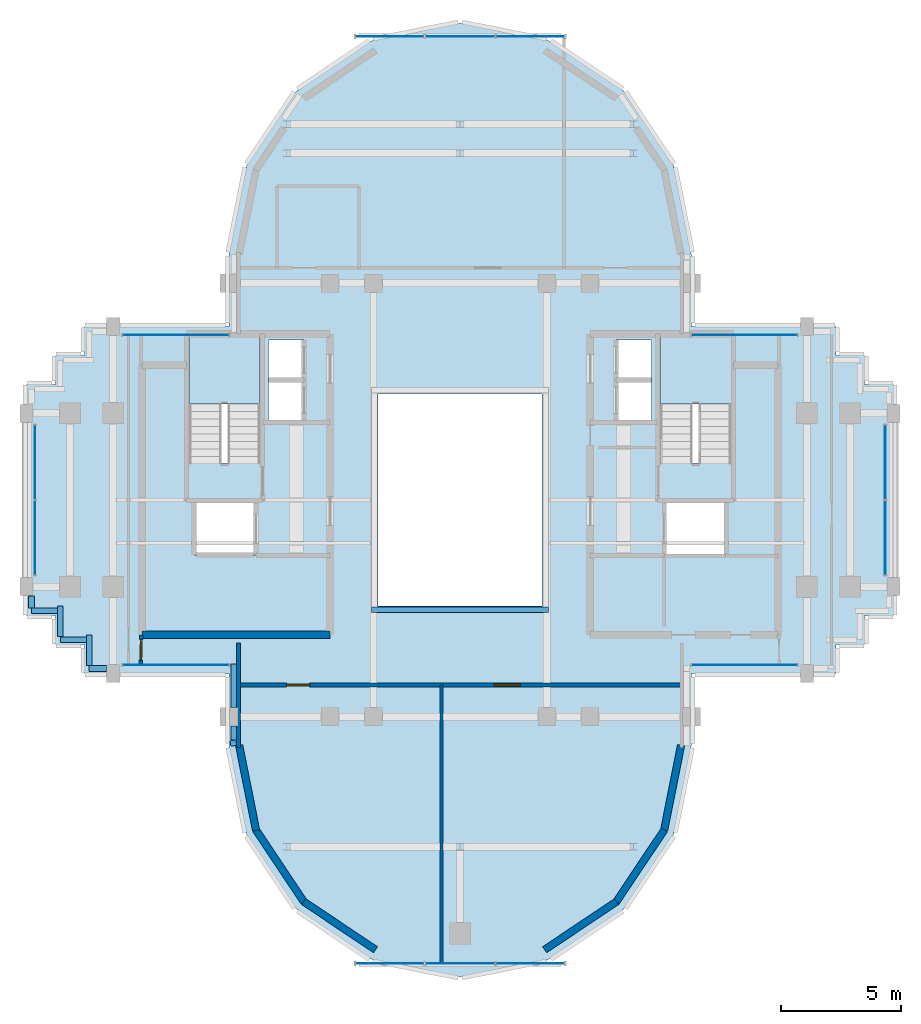
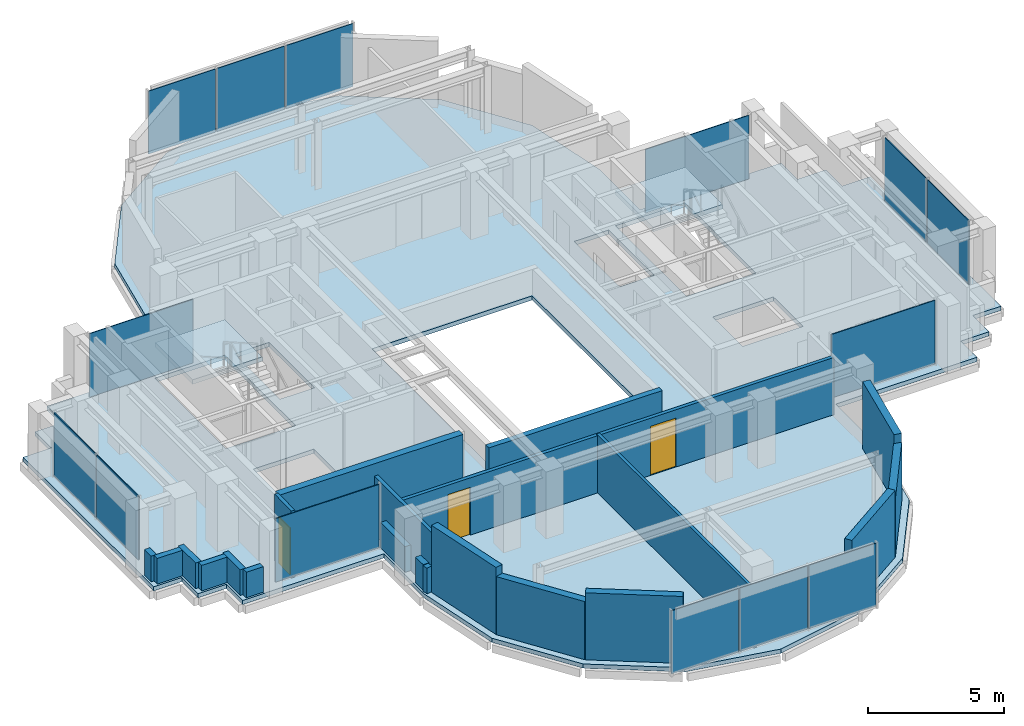
# One storey, part 7 of 12: 21 walls, 14 plates, 3 doors, 3 slabs, 3 openings, 10 elements without a shape of their own.
"""IFC4 building model written with IfcOpenShell, lengths in metres."""

from ifc_helpers import new_model, si_unit, direction, frame, frame_2d, origin, origin_2d, place, context, subcontext, project, spatial, polyline, rectangle, outline, extrude, source, transform, mapped, material, layer, layer_set, type_object, element, fill, aggregate, save


model = new_model("IFC4")

# Units and contexts
model_context = context("Model", 3, precision=1e-05, world=origin(), true_north=direction((0.0, 1.0)))
body_context = subcontext(model_context, "Body", "Model", "MODEL_VIEW")
ifc_project = project(units=[si_unit("LENGTHUNIT", "METRE"), si_unit("AREAUNIT", "SQUARE_METRE"), si_unit("VOLUMEUNIT", "CUBIC_METRE"), si_unit("PLANEANGLEUNIT", "RADIAN"), si_unit("MASSUNIT", "GRAM", prefix="KILO")], contexts=[model_context])

# Site, building, storey
site_placement = place(None, origin())
site = spatial("IfcSite", under=ifc_project, at=site_placement, CompositionType="ELEMENT")
building_placement = place(site_placement, origin())
building = spatial("IfcBuilding", under=site, at=building_placement, Name="Keilestroom Media Tower", CompositionType="ELEMENT")
storey_placement = place(building_placement, frame((0.0, 0.0, 236.39990234375)))
storey = spatial("IfcBuildingStorey", under=building, at=storey_placement, Name="L65", CompositionType="ELEMENT", Elevation=236.39990234375)

# Slab
ifc_material_1 = material(Name="Concrete C50/60", Category="concrete")
ifc_layer_1 = layer(ifc_material_1, 0.18994140625)
ifc_layer_set_1 = layer_set([ifc_layer_1], Name="Concrete C50/60")
slab_type_1 = type_object("IfcSlabType", Name="Composite-Floor-Slab-190", PredefinedType="FLOOR", material=ifc_layer_set_1)
slab_1_placement = place(storey_placement, frame((0.0, 0.0, -0.18994140625)))
element("IfcSlab", 1, at=slab_1_placement, inside=storey, type_object=slab_type_1, Name="L65 Structural Composite Floor Slab", PredefinedType="FLOOR", context=body_context, shape_type="SweptSolid", body=[
    extrude(outline(polyline([(18.0, -4.800048828125), (18.0, 4.800048828125), (16.800048828125, 4.800048828125), (16.800048828125, 6.0), (15.60009765625, 6.0), (15.60009765625, 7.199951171875), (9.60009765625, 7.199951171875), (9.60009765625, 9.60009765625), (9.60009765625, 10.199951171875), (8.869140625, 13.873779296875), (6.7880859375, 16.98828125), (3.673828125, 19.069091796875), (0.0, 19.800048828125), (-3.673828125, 19.069091796875), (-6.7880859375, 16.98828125), (-8.869140625, 13.873779296875), (-9.60009765625, 10.199951171875), (-9.60009765625, 9.60009765625), (-9.60009765625, 7.199951171875), (-15.60009765625, 7.199951171875), (-15.60009765625, 6.0), (-16.800048828125, 6.0), (-16.800048828125, 4.800048828125), (-18.0, 4.800048828125), (-18.0, -4.800048828125), (-16.800048828125, -4.800048828125), (-16.800048828125, -6.0), (-15.60009765625, -6.0), (-15.60009765625, -7.199951171875), (-9.60009765625, -7.199951171875), (-9.60009765625, -9.60009765625), (-9.60009765625, -10.199951171875), (-8.869140625, -13.873779296875), (-6.7880859375, -16.98828125), (-3.673828125, -19.069091796875), (0.0, -19.800048828125), (3.673828125, -19.069091796875), (6.7880859375, -16.98828125), (8.869140625, -13.873779296875), (9.60009765625, -10.199951171875), (9.60009765625, -9.60009765625), (9.60009765625, -7.199951171875), (15.60009765625, -7.199951171875), (15.60009765625, -6.0), (16.800048828125, -6.0), (16.800048828125, -4.800048828125), (18.0, -4.800048828125)]), holes=[polyline([(-8.300048828125, 1.544921875), (-11.260009765625, 1.544921875), (-11.260009765625, 6.760009765625), (-8.300048828125, 6.760009765625), (-8.300048828125, 1.544921875)]), polyline([(-8.47998046875, -2.280029296875), (-11.050048828125, -2.280029296875), (-11.050048828125, -0.10009765625), (-8.47998046875, -0.10009765625), (-8.47998046875, -2.280029296875)]), polyline([(-6.47998046875, 3.300048828125), (-7.949951171875, 3.300048828125), (-7.949951171875, 6.64990234375), (-6.47998046875, 6.64990234375), (-6.47998046875, 3.300048828125)]), polyline([(3.39990234375, -4.39990234375), (-3.39990234375, -4.39990234375), (-3.39990234375, 4.39990234375), (3.39990234375, 4.39990234375), (3.39990234375, -4.39990234375)]), polyline([(7.949951171875, 3.300048828125), (6.47998046875, 3.300048828125), (6.47998046875, 6.64990234375), (7.949951171875, 6.64990234375), (7.949951171875, 3.300048828125)]), polyline([(11.260009765625, 1.544921875), (8.300048828125, 1.544921875), (8.300048828125, 6.760009765625), (11.260009765625, 6.760009765625), (11.260009765625, 1.544921875)]), polyline([(11.050048828125, -2.280029296875), (8.47998046875, -2.280029296875), (8.47998046875, -0.10009765625), (11.050048828125, -0.10009765625), (11.050048828125, -2.280029296875)])]), origin(), (0.0, 0.0, 1.0), 0.18994140625),
])

# Stair, slab
ifc_material_2 = material(Name="Concrete C45/55", Category="concrete")
stair_type = type_object("IfcStairType", Name="Enclosed-Dog-Leg-Stair-ST-CORE", PredefinedType="HALF_TURN_STAIR", material=ifc_material_2)
stair_1_placement = place(storey_placement, origin())
stair_1 = element("IfcStair", 2, at=stair_1_placement, inside=storey, type_object=stair_type, Name="L65 West Core Escape Stair ST-1", PredefinedType="HALF_TURN_STAIR")
ifc_layer_2 = layer(ifc_material_2, 0.199951171875)
ifc_layer_set_2 = layer_set([ifc_layer_2], Name="Concrete C45/55")
slab_type_2 = type_object("IfcSlabType", Name="Stair-Intermediate-And-Top-Landing-Slab-200", PredefinedType="LANDING", material=ifc_layer_set_2)
slab_2_placement = place(storey_placement, frame((0.0, 0.0, 1.400146484375)))
slab_2 = element("IfcSlab", 3, at=slab_2_placement, type_object=slab_type_2, Name="ST-1 landing 1", PredefinedType="LANDING", context=body_context, shape_type="SweptSolid", body=[
    extrude(outline(polyline([(-8.300048828125, 3.99609375), (-8.300048828125, 6.760009765625), (-11.260009765625, 6.760009765625), (-11.260009765625, 3.99609375), (-8.300048828125, 3.99609375)])), origin(), (0.0, 0.0, 1.0), 0.199951171875),
])
aggregate(stair_1, [slab_2])

stair_2_placement = place(storey_placement, origin())
stair_2 = element("IfcStair", 4, at=stair_2_placement, inside=storey, type_object=stair_type, Name="L65 East Core Escape Stair ST-2", PredefinedType="HALF_TURN_STAIR")
slab_3_placement = place(storey_placement, frame((0.0, 0.0, 1.400146484375)))
slab_3 = element("IfcSlab", 5, at=slab_3_placement, type_object=slab_type_2, Name="ST-2 landing 1", PredefinedType="LANDING", context=body_context, shape_type="SweptSolid", body=[
    extrude(outline(polyline([(11.260009765625, 3.99609375), (11.260009765625, 6.760009765625), (8.300048828125, 6.760009765625), (8.300048828125, 3.99609375), (11.260009765625, 3.99609375)])), origin(), (0.0, 0.0, 1.0), 0.199951171875),
])
aggregate(stair_2, [slab_3])

# Curtain wall, plates
ifc_material_3 = material(Name="Anodised Aluminium Alloy", Category="aluminium")
curtain_wall_type_1 = type_object("IfcCurtainWallType", Name="Unitised-Curtain-Wall-CW-6", PredefinedType="NOTDEFINED", material=ifc_material_3)
curtain_wall_1_placement = place(storey_placement, origin())
curtain_wall_1 = element("IfcCurtainWall", 6, at=curtain_wall_1_placement, inside=storey, type_object=curtain_wall_type_1, Name="L65 Curtain Wall CW-6 CW-L65-LN-1", PredefinedType="NOTDEFINED")
ifc_material_4 = material(Name="Curved-Facet Triple Glazed Unit", Category="glass")
ifc_layer_3 = layer(ifc_material_4, 0.033935546875)
ifc_layer_set_3 = layer_set([ifc_layer_3], Name="Curved-Facet Triple Glazed Unit")
plate_type_1 = type_object("IfcPlateType", Name="Insulated-Curtain-Wall-Glazing-Panel-CW-6", PredefinedType="CURTAIN_PANEL", material=ifc_layer_set_3)
shared_shape_1 = source(origin(), body_context, "Body", "SweptSolid", [
    extrude(rectangle(XDim=2.84375, YDim=0.033935546875, at=origin_2d()), origin(), (0.0, 0.0, 1.0), 2.833984375),
])
plate_1_placement = place(storey_placement, frame((-2.9169921875, 19.25, 0.072998046875), z_axis=(0.0, 0.0, 1.0), x_axis=(1.0, 0.0, 0.0)))
plate_1 = element("IfcPlate", 7, at=plate_1_placement, type_object=plate_type_1, Name="CW-6 Unitised Glazing 00", PredefinedType="CURTAIN_PANEL", context=body_context, shape_type="MappedRepresentation", body=[
    mapped(shared_shape_1, transform((0.0, 0.0, 0.0), x_axis=(1.0, 0.0, 0.0), y_axis=(0.0, 1.0, 0.0), z_axis=(0.0, 0.0, 1.0), scale=1.0)),
])
plate_2_placement = place(storey_placement, frame((2.9169921875, 19.25, 0.072998046875), z_axis=(0.0, 0.0, 1.0), x_axis=(1.0, 0.0, 0.0)))
plate_2 = element("IfcPlate", 8, at=plate_2_placement, type_object=plate_type_1, Name="CW-6 Unitised Glazing 02", PredefinedType="CURTAIN_PANEL", context=body_context, shape_type="MappedRepresentation", body=[
    mapped(shared_shape_1, transform((0.0, 0.0, 0.0), x_axis=(1.0, 0.0, 0.0), y_axis=(0.0, 1.0, 0.0), z_axis=(0.0, 0.0, 1.0), scale=1.0)),
])

curtain_wall_2_placement = place(storey_placement, origin())
curtain_wall_2 = element("IfcCurtainWall", 9, at=curtain_wall_2_placement, inside=storey, type_object=curtain_wall_type_1, Name="L65 Curtain Wall CW-6 CW-L65-LS-1", PredefinedType="NOTDEFINED")
plate_3_placement = place(storey_placement, frame((-2.9169921875, -19.25, 0.072998046875), z_axis=(0.0, 0.0, 1.0), x_axis=(1.0, 0.0, 0.0)))
plate_3 = element("IfcPlate", 10, at=plate_3_placement, type_object=plate_type_1, Name="CW-6 Unitised Glazing 00", PredefinedType="CURTAIN_PANEL", context=body_context, shape_type="MappedRepresentation", body=[
    mapped(shared_shape_1, transform((0.0, 0.0, 0.0), x_axis=(1.0, 0.0, 0.0), y_axis=(0.0, 1.0, 0.0), z_axis=(0.0, 0.0, 1.0), scale=1.0)),
])
plate_4_placement = place(storey_placement, frame((2.9169921875, -19.25, 0.072998046875), z_axis=(0.0, 0.0, 1.0), x_axis=(1.0, 0.0, 0.0)))
plate_4 = element("IfcPlate", 11, at=plate_4_placement, type_object=plate_type_1, Name="CW-6 Unitised Glazing 02", PredefinedType="CURTAIN_PANEL", context=body_context, shape_type="MappedRepresentation", body=[
    mapped(shared_shape_1, transform((0.0, 0.0, 0.0), x_axis=(1.0, 0.0, 0.0), y_axis=(0.0, 1.0, 0.0), z_axis=(0.0, 0.0, 1.0), scale=1.0)),
])

# Plate
shared_shape_2 = source(origin(), body_context, "Body", "SweptSolid", [
    extrude(rectangle(XDim=2.876220703125, YDim=0.033935546875, at=origin_2d()), origin(), (0.0, 0.0, 1.0), 2.833984375),
])
plate_5_placement = place(storey_placement, frame((0.0, 19.25, 0.072998046875), z_axis=(0.0, 0.0, 1.0), x_axis=(1.0, 0.0, 0.0)))
plate_5 = element("IfcPlate", 12, at=plate_5_placement, type_object=plate_type_1, Name="CW-6 Unitised Glazing 01", PredefinedType="CURTAIN_PANEL", context=body_context, shape_type="MappedRepresentation", body=[
    mapped(shared_shape_2, transform((0.0, 0.0, 0.0), x_axis=(1.0, 0.0, 0.0), y_axis=(0.0, 1.0, 0.0), z_axis=(0.0, 0.0, 1.0), scale=1.0)),
])

aggregate(curtain_wall_1, [plate_1, plate_5, plate_2])

plate_6_placement = place(storey_placement, frame((0.0, -19.25, 0.072998046875), z_axis=(0.0, 0.0, 1.0), x_axis=(1.0, 0.0, 0.0)))
plate_6 = element("IfcPlate", 13, at=plate_6_placement, type_object=plate_type_1, Name="CW-6 Unitised Glazing 01", PredefinedType="CURTAIN_PANEL", context=body_context, shape_type="MappedRepresentation", body=[
    mapped(shared_shape_2, transform((0.0, 0.0, 0.0), x_axis=(1.0, 0.0, 0.0), y_axis=(0.0, 1.0, 0.0), z_axis=(0.0, 0.0, 1.0), scale=1.0)),
])

aggregate(curtain_wall_2, [plate_3, plate_6, plate_4])

# Curtain wall, plates
curtain_wall_type_2 = type_object("IfcCurtainWallType", Name="Unitised-Curtain-Wall-CW-4", PredefinedType="NOTDEFINED", material=ifc_material_3)
curtain_wall_3_placement = place(storey_placement, origin())
curtain_wall_3 = element("IfcCurtainWall", 14, at=curtain_wall_3_placement, inside=storey, type_object=curtain_wall_type_2, Name="L65 Curtain Wall CW-4 CW-L65-W-1", PredefinedType="NOTDEFINED")
ifc_material_5 = material(Name="Triple Glazed Solar-Control Unit", Category="glass")
ifc_layer_4 = layer(ifc_material_5, 0.035888671875)
ifc_layer_set_4 = layer_set([ifc_layer_4], Name="Triple Glazed Solar-Control Unit")
plate_type_2 = type_object("IfcPlateType", Name="Insulated-Curtain-Wall-Glazing-Panel-CW-4", PredefinedType="CURTAIN_PANEL", material=ifc_layer_set_4)
shared_shape_3 = source(origin(), body_context, "Body", "SweptSolid", [
    extrude(rectangle(XDim=3.0830078125, YDim=0.035888671875, at=origin_2d()), origin(), (0.0, 0.0, 1.0), 2.85400390625),
])
plate_7_placement = place(storey_placement, frame((-17.64990234375, -1.5673828125, 0.06298828125), z_axis=(0.0, 0.0, 1.0), x_axis=(0.0, 1.0, 0.0)))
plate_7 = element("IfcPlate", 15, at=plate_7_placement, type_object=plate_type_2, Name="CW-4 Unitised Glazing 00", PredefinedType="CURTAIN_PANEL", context=body_context, shape_type="MappedRepresentation", body=[
    mapped(shared_shape_3, transform((0.0, 0.0, 0.0), x_axis=(1.0, 0.0, 0.0), y_axis=(0.0, 1.0, 0.0), z_axis=(0.0, 0.0, 1.0), scale=1.0)),
])
plate_8_placement = place(storey_placement, frame((-17.64990234375, 1.5673828125, 0.06298828125), z_axis=(0.0, 0.0, 1.0), x_axis=(0.0, 1.0, 0.0)))
plate_8 = element("IfcPlate", 16, at=plate_8_placement, type_object=plate_type_2, Name="CW-4 Unitised Glazing 01", PredefinedType="CURTAIN_PANEL", context=body_context, shape_type="MappedRepresentation", body=[
    mapped(shared_shape_3, transform((0.0, 0.0, 0.0), x_axis=(1.0, 0.0, 0.0), y_axis=(0.0, 1.0, 0.0), z_axis=(0.0, 0.0, 1.0), scale=1.0)),
])
aggregate(curtain_wall_3, [plate_7, plate_8])

curtain_wall_4_placement = place(storey_placement, origin())
curtain_wall_4 = element("IfcCurtainWall", 17, at=curtain_wall_4_placement, inside=storey, type_object=curtain_wall_type_2, Name="L65 Curtain Wall CW-4 CW-L65-E-1", PredefinedType="NOTDEFINED")
plate_9_placement = place(storey_placement, frame((17.64990234375, -1.5673828125, 0.06298828125), z_axis=(0.0, 0.0, 1.0), x_axis=(0.0, 1.0, 0.0)))
plate_9 = element("IfcPlate", 18, at=plate_9_placement, type_object=plate_type_2, Name="CW-4 Unitised Glazing 00", PredefinedType="CURTAIN_PANEL", context=body_context, shape_type="MappedRepresentation", body=[
    mapped(shared_shape_3, transform((0.0, 0.0, 0.0), x_axis=(1.0, 0.0, 0.0), y_axis=(0.0, 1.0, 0.0), z_axis=(0.0, 0.0, 1.0), scale=1.0)),
])
plate_10_placement = place(storey_placement, frame((17.64990234375, 1.5673828125, 0.06298828125), z_axis=(0.0, 0.0, 1.0), x_axis=(0.0, 1.0, 0.0)))
plate_10 = element("IfcPlate", 19, at=plate_10_placement, type_object=plate_type_2, Name="CW-4 Unitised Glazing 01", PredefinedType="CURTAIN_PANEL", context=body_context, shape_type="MappedRepresentation", body=[
    mapped(shared_shape_3, transform((0.0, 0.0, 0.0), x_axis=(1.0, 0.0, 0.0), y_axis=(0.0, 1.0, 0.0), z_axis=(0.0, 0.0, 1.0), scale=1.0)),
])
aggregate(curtain_wall_4, [plate_9, plate_10])

# Curtain wall, plate
curtain_wall_5_placement = place(storey_placement, origin())
curtain_wall_5 = element("IfcCurtainWall", 20, at=curtain_wall_5_placement, inside=storey, type_object=curtain_wall_type_2, Name="L65 Curtain Wall CW-4 CW-L65-NW-1", PredefinedType="NOTDEFINED")
shared_shape_4 = source(origin(), body_context, "Body", "SweptSolid", [
    extrude(rectangle(XDim=4.403076171875, YDim=0.035888671875, at=origin_2d()), origin(), (0.0, 0.0, 1.0), 2.85400390625),
])
plate_11_placement = place(storey_placement, frame((-11.8076171875, 6.85009765625, 0.06298828125), z_axis=(0.0, 0.0, 1.0), x_axis=(1.0, 0.0, 0.0)))
plate_11 = element("IfcPlate", 21, at=plate_11_placement, type_object=plate_type_2, Name="CW-4 Unitised Glazing 00", PredefinedType="CURTAIN_PANEL", context=body_context, shape_type="MappedRepresentation", body=[
    mapped(shared_shape_4, transform((0.0, 0.0, 0.0), x_axis=(1.0, 0.0, 0.0), y_axis=(0.0, 1.0, 0.0), z_axis=(0.0, 0.0, 1.0), scale=1.0)),
])
aggregate(curtain_wall_5, [plate_11])

curtain_wall_6_placement = place(storey_placement, origin())
curtain_wall_6 = element("IfcCurtainWall", 22, at=curtain_wall_6_placement, inside=storey, type_object=curtain_wall_type_2, Name="L65 Curtain Wall CW-4 CW-L65-NE-1", PredefinedType="NOTDEFINED")
plate_12_placement = place(storey_placement, frame((11.8076171875, 6.85009765625, 0.06298828125), z_axis=(0.0, 0.0, 1.0), x_axis=(1.0, 0.0, 0.0)))
plate_12 = element("IfcPlate", 23, at=plate_12_placement, type_object=plate_type_2, Name="CW-4 Unitised Glazing 00", PredefinedType="CURTAIN_PANEL", context=body_context, shape_type="MappedRepresentation", body=[
    mapped(shared_shape_4, transform((0.0, 0.0, 0.0), x_axis=(1.0, 0.0, 0.0), y_axis=(0.0, 1.0, 0.0), z_axis=(0.0, 0.0, 1.0), scale=1.0)),
])
aggregate(curtain_wall_6, [plate_12])

curtain_wall_7_placement = place(storey_placement, origin())
curtain_wall_7 = element("IfcCurtainWall", 24, at=curtain_wall_7_placement, inside=storey, type_object=curtain_wall_type_2, Name="L65 Curtain Wall CW-4 CW-L65-SW-1", PredefinedType="NOTDEFINED")
plate_13_placement = place(storey_placement, frame((-11.8076171875, -6.85009765625, 0.06298828125), z_axis=(0.0, 0.0, 1.0), x_axis=(1.0, 0.0, 0.0)))
plate_13 = element("IfcPlate", 25, at=plate_13_placement, type_object=plate_type_2, Name="CW-4 Unitised Glazing 00", PredefinedType="CURTAIN_PANEL", context=body_context, shape_type="MappedRepresentation", body=[
    mapped(shared_shape_4, transform((0.0, 0.0, 0.0), x_axis=(1.0, 0.0, 0.0), y_axis=(0.0, 1.0, 0.0), z_axis=(0.0, 0.0, 1.0), scale=1.0)),
])
aggregate(curtain_wall_7, [plate_13])

curtain_wall_8_placement = place(storey_placement, origin())
curtain_wall_8 = element("IfcCurtainWall", 26, at=curtain_wall_8_placement, inside=storey, type_object=curtain_wall_type_2, Name="L65 Curtain Wall CW-4 CW-L65-SE-1", PredefinedType="NOTDEFINED")
plate_14_placement = place(storey_placement, frame((11.8076171875, -6.85009765625, 0.06298828125), z_axis=(0.0, 0.0, 1.0), x_axis=(1.0, 0.0, 0.0)))
plate_14 = element("IfcPlate", 27, at=plate_14_placement, type_object=plate_type_2, Name="CW-4 Unitised Glazing 00", PredefinedType="CURTAIN_PANEL", context=body_context, shape_type="MappedRepresentation", body=[
    mapped(shared_shape_4, transform((0.0, 0.0, 0.0), x_axis=(1.0, 0.0, 0.0), y_axis=(0.0, 1.0, 0.0), z_axis=(0.0, 0.0, 1.0), scale=1.0)),
])
aggregate(curtain_wall_8, [plate_14])

# Walls
ifc_material_6 = material(Name="Precast concrete C40/50", Category="concrete")
ifc_layer_5 = layer(ifc_material_6, 0.300048828125)
ifc_layer_set_5 = layer_set([ifc_layer_5], Name="Precast concrete C40/50")
wall_type_1 = type_object("IfcWallType", Name="Exterior-Masonry-Spandrel-Wall-300", PredefinedType="SOLIDWALL", material=ifc_layer_set_5)
wall_1_placement = place(storey_placement, frame((-9.1748046875, -10.185302734375, 0.0), z_axis=(0.0, 0.0, 1.0), x_axis=(0.195114232679, -0.980780523974, 0.0)))
element("IfcWall", 28, at=wall_1_placement, inside=storey, type_object=wall_type_1, Name="L65 Lobe Facet Precast Frame Wall 07", PredefinedType="SOLIDWALL", context=body_context, shape_type="SweptSolid", body=[
    extrude(rectangle(XDim=3.608642578125, YDim=0.300048828125, at=frame_2d((1.80419921875, 0.0))), origin(), (0.0, 0.0, 1.0), 3.010009765625),
])
wall_2_placement = place(storey_placement, frame((-8.48193359375, -13.697509765625, 0.0), z_axis=(0.0, 0.0, 1.0), x_axis=(0.555574187116, -0.831466970246, 0.0)))
element("IfcWall", 29, at=wall_2_placement, inside=storey, type_object=wall_type_1, Name="L65 Lobe Facet Precast Frame Wall 08", PredefinedType="SOLIDWALL", context=body_context, shape_type="SweptSolid", body=[
    extrude(rectangle(XDim=3.608642578125, YDim=0.300048828125, at=frame_2d((1.80419921875, 0.0))), origin(), (0.0, 0.0, 1.0), 2.610107421875),
])
for number, where, z_axis, x_axis, name in (
    (30, (-6.497802734375, -16.677001953125, 0.0), (0.0, 0.0, 1.0), (0.831443568068, -0.555609208993, 0.0), "L65 Lobe Facet Precast Frame Wall 09"),
    (31, (3.510009765625, -18.673583984375, 0.0), (0.0, 0.0, 1.0), (0.831443568068, 0.555609208993, 0.0), "L65 Lobe Facet Precast Frame Wall 10"),
):
    element("IfcWall", number, at=place(storey_placement, frame(where, z_axis=z_axis, x_axis=x_axis)), inside=storey, type_object=wall_type_1, Name=name, PredefinedType="SOLIDWALL", context=body_context, shape_type="SweptSolid", body=[
        extrude(rectangle(XDim=3.593505859375, YDim=0.300048828125, at=frame_2d((1.796875, 0.0))), origin(), (0.0, 0.0, 1.0), 3.010009765625),
    ])
wall_3_placement = place(storey_placement, frame((6.47705078125, -16.697998046875, 0.0), z_axis=(0.0, 0.0, 1.0), x_axis=(0.555574187116, 0.831466970246, 0.0)))
element("IfcWall", 32, at=wall_3_placement, inside=storey, type_object=wall_type_1, Name="L65 Lobe Facet Precast Frame Wall 11", PredefinedType="SOLIDWALL", context=body_context, shape_type="SweptSolid", body=[
    extrude(rectangle(XDim=3.608642578125, YDim=0.300048828125, at=frame_2d((1.80419921875, 0.0))), origin(), (0.0, 0.0, 1.0), 2.610107421875),
])
wall_4_placement = place(storey_placement, frame((8.470703125, -13.724609375, 0.0), z_axis=(0.0, 0.0, 1.0), x_axis=(0.195114232679, 0.980780523974, 0.0)))
element("IfcWall", 33, at=wall_4_placement, inside=storey, type_object=wall_type_1, Name="L65 Lobe Facet Precast Frame Wall 12", PredefinedType="SOLIDWALL", context=body_context, shape_type="SweptSolid", body=[
    extrude(rectangle(XDim=3.608642578125, YDim=0.300048828125, at=frame_2d((1.80419921875, 0.0))), origin(), (0.0, 0.0, 1.0), 3.010009765625),
])
ifc_material_7 = material(Name="Gypsum Plasterboard & Steel Stud", Category="steel")
ifc_layer_6 = layer(ifc_material_7, 0.1201171875)
ifc_layer_set_6 = layer_set([ifc_layer_6], Name="Gypsum Plasterboard & Steel Stud")
wall_type_2 = type_object("IfcWallType", Name="Interior-Partition-Wall-120", PredefinedType="PARTITIONING", material=ifc_layer_set_6)
wall_5_placement = place(storey_placement, frame((-0.780029296875, -19.25, 0.0), z_axis=(0.0, 0.0, 1.0), x_axis=(0.0, 1.0, 0.0)))
element("IfcWall", 34, at=wall_5_placement, inside=storey, type_object=wall_type_2, Name="L65 Interior Wall WP-L65-SL-VS", PredefinedType="PARTITIONING", context=body_context, shape_type="SweptSolid", body=[
    extrude(rectangle(XDim=11.570068359375, YDim=0.1201171875, at=frame_2d((5.78515625, 0.0))), origin(), (0.0, 0.0, 1.0), 2.610107421875),
])

# Wall, openings, doors
ifc_layer_7 = layer(ifc_material_7, 0.14990234375)
ifc_layer_set_7 = layer_set([ifc_layer_7], Name="Gypsum Plasterboard & Steel Stud")
wall_type_3 = type_object("IfcWallType", Name="Interior-Partition-Wall-150", PredefinedType="PARTITIONING", material=ifc_layer_set_7)
wall_6_placement = place(storey_placement, frame((-9.199951171875, -7.679931640625, 0.0), z_axis=(0.0, 0.0, 1.0), x_axis=(1.0, 0.0, 0.0)))
wall_6 = element("IfcWall", 35, at=wall_6_placement, inside=storey, type_object=wall_type_3, Name="L65 Interior Wall WP-L65-SL-BASE", PredefinedType="PARTITIONING", context=body_context, shape_type="SweptSolid", body=[
    extrude(rectangle(XDim=18.39990234375, YDim=0.14990234375, at=frame_2d((9.199951171875, 0.0))), origin(), (0.0, 0.0, 1.0), 2.570068359375),
])
opening_1_placement = place(wall_6_placement, frame((2.0, 0.0, 0.0)))
opening_1 = element("IfcOpeningElement", 36, at=opening_1_placement, cuts=wall_6, Name="Opening DI-03", PredefinedType="OPENING", context=body_context, shape_type="SweptSolid", body=[
    extrude(rectangle(XDim=0.949951171875, YDim=2.14990234375, at=frame_2d((0.47509765625, 1.074951171875))), frame((0.0, 0.0849609375, 0.0), z_axis=(0.0, -1.0, 0.0), x_axis=(1.0, 0.0, 0.0)), (0.0, 0.0, 1.0), 0.169921875),
])
opening_2_placement = place(wall_6_placement, frame((10.60009765625, 0.0, 0.0)))
opening_2 = element("IfcOpeningElement", 37, at=opening_2_placement, cuts=wall_6, Name="Opening DI-04", PredefinedType="OPENING", context=body_context, shape_type="SweptSolid", body=[
    extrude(rectangle(XDim=1.10009765625, YDim=2.199951171875, at=frame_2d((0.550048828125, 1.10009765625))), frame((0.0, 0.0849609375, 0.0), z_axis=(0.0, -1.0, 0.0), x_axis=(1.0, 0.0, 0.0)), (0.0, 0.0, 1.0), 0.169921875),
])
ifc_material_8 = material(Name="Lacquered European Oak Leaf", Category="wood")
door_type_1 = type_object("IfcDoorType", Name="Interior-Room-And-Suite-Door-DI-03", OperationType="NOTDEFINED", PredefinedType="DOOR", material=ifc_material_8)
shared_shape_5 = source(origin(), body_context, "Body", "SweptSolid", [
    extrude(rectangle(XDim=0.949951171875, YDim=2.14990234375, at=frame_2d((0.47509765625, 1.074951171875))), frame((0.0, 0.02490234375, 0.0), z_axis=(0.0, -1.0, 0.0), x_axis=(1.0, 0.0, 0.0)), (0.0, 0.0, 1.0), 0.050048828125),
])
door_1_placement = place(opening_1_placement, origin())
door_1 = element("IfcDoor", 38, at=door_1_placement, inside=storey, type_object=door_type_1, Name="L65 Interior Door DI-L65-DSL-W", OperationType="SINGLE_SWING_RIGHT", OverallHeight=2.14990234375, OverallWidth=0.949951171875, PredefinedType="DOOR", context=body_context, shape_type="MappedRepresentation", body=[
    mapped(shared_shape_5, transform((0.0, 0.0, 0.0), x_axis=(1.0, 0.0, 0.0), y_axis=(0.0, 1.0, 0.0), z_axis=(0.0, 0.0, 1.0), scale=1.0)),
])
fill(opening_1, door_1)
ifc_material_9 = material(Name="Acoustic Glazed Aluminium Leaf", Category="aluminium")
door_type_2 = type_object("IfcDoorType", Name="Interior-Room-And-Suite-Door-DI-04", OperationType="NOTDEFINED", PredefinedType="DOOR", material=ifc_material_9)
shared_shape_6 = source(origin(), body_context, "Body", "SweptSolid", [
    extrude(rectangle(XDim=1.10009765625, YDim=2.199951171875, at=frame_2d((0.550048828125, 1.10009765625))), frame((0.0, 0.02490234375, 0.0), z_axis=(0.0, -1.0, 0.0), x_axis=(1.0, 0.0, 0.0)), (0.0, 0.0, 1.0), 0.050048828125),
])
door_2_placement = place(opening_2_placement, origin())
door_2 = element("IfcDoor", 39, at=door_2_placement, inside=storey, type_object=door_type_2, Name="L65 Interior Door DI-L65-DSL-E", OperationType="SINGLE_SWING_LEFT", OverallHeight=2.199951171875, OverallWidth=1.10009765625, PredefinedType="DOOR", context=body_context, shape_type="MappedRepresentation", body=[
    mapped(shared_shape_6, transform((0.0, 0.0, 0.0), x_axis=(1.0, 0.0, 0.0), y_axis=(0.0, 1.0, 0.0), z_axis=(0.0, 0.0, 1.0), scale=1.0)),
])
fill(opening_2, door_2)

# Wall
wall_7_placement = place(storey_placement, frame((-9.199951171875, -10.280029296875, 0.0), z_axis=(0.0, 0.0, 1.0), x_axis=(0.0, 1.0, 0.0)))
element("IfcWall", 40, at=wall_7_placement, inside=storey, type_object=wall_type_3, Name="L65 Interior Wall WP-L65-SL-CHKW", PredefinedType="PARTITIONING", context=body_context, shape_type="SweptSolid", body=[
    extrude(rectangle(XDim=4.340087890625, YDim=0.14990234375, at=frame_2d((2.169921875, 0.0))), origin(), (0.0, 0.0, 1.0), 2.610107421875),
])

# Wall, opening, door
wall_8_placement = place(storey_placement, frame((-13.260009765625, -6.85009765625, 0.0), z_axis=(0.0, 0.0, 1.0), x_axis=(0.016013571389, 0.999871774545, 0.0)))
wall_8 = element("IfcWall", 41, at=wall_8_placement, inside=storey, type_object=wall_type_3, Name="L65 Interior Wall WP-L65-WA-ENTS", PredefinedType="PARTITIONING", context=body_context, shape_type="SweptSolid", body=[
    extrude(rectangle(XDim=1.250244140625, YDim=0.14990234375, at=frame_2d((0.625, 0.0))), origin(), (0.0, 0.0, 1.0), 3.010009765625),
])
opening_3_placement = place(wall_8_placement, frame((0.199951171875, 0.0, 0.0)))
opening_3 = element("IfcOpeningElement", 42, at=opening_3_placement, cuts=wall_8, Name="Opening DI-05", PredefinedType="OPENING", context=body_context, shape_type="SweptSolid", body=[
    extrude(rectangle(XDim=0.85009765625, YDim=2.10009765625, at=frame_2d((0.425048828125, 1.050048828125))), frame((0.0, 0.0849609375, 0.0), z_axis=(0.0, -1.0, 0.0), x_axis=(1.0, 0.0, 0.0)), (0.0, 0.0, 1.0), 0.169921875),
])
ifc_material_10 = material(Name="Moisture-Resistant Oak Leaf", Category="wood")
door_type_3 = type_object("IfcDoorType", Name="Interior-En-Suite-And-Cupboard-Door-DI-05", OperationType="NOTDEFINED", PredefinedType="DOOR", material=ifc_material_10)
shared_shape_7 = source(origin(), body_context, "Body", "SweptSolid", [
    extrude(rectangle(XDim=0.85009765625, YDim=2.10009765625, at=frame_2d((0.425048828125, 1.050048828125))), frame((0.0, 0.02490234375, 0.0), z_axis=(0.0, -1.0, 0.0), x_axis=(1.0, 0.0, 0.0)), (0.0, 0.0, 1.0), 0.050048828125),
])
door_3_placement = place(opening_3_placement, origin())
door_3 = element("IfcDoor", 43, at=door_3_placement, inside=storey, type_object=door_type_3, Name="L65 Interior Door DI-L65-DWA-ENTS", OperationType="SINGLE_SWING_RIGHT", OverallHeight=2.10009765625, OverallWidth=0.85009765625, PredefinedType="DOOR", context=body_context, shape_type="MappedRepresentation", body=[
    mapped(shared_shape_7, transform((0.0, 0.0, 0.0), x_axis=(1.0, 0.0, 0.0), y_axis=(0.0, 1.0, 0.0), z_axis=(0.0, 0.0, 1.0), scale=1.0)),
])
fill(opening_3, door_3)

# Walls
ifc_layer_8 = layer(ifc_material_1, 0.300048828125)
ifc_layer_set_8 = layer_set([ifc_layer_8], Name="Concrete C50/60")
wall_type_4 = type_object("IfcWallType", Name="Reinforced-Concrete-Core-Shear-Wall-300", PredefinedType="SHEAR", material=ifc_layer_set_8)
wall_9_placement = place(storey_placement, frame((-13.199951171875, -5.60009765625, 0.0), z_axis=(0.0, 0.0, 1.0), x_axis=(1.0, 0.0, 0.0)))
element("IfcWall", 44, at=wall_9_placement, inside=storey, type_object=wall_type_4, Name="L65 Core Shear Wall WL-L65-CORE-W-S", PredefinedType="SHEAR", context=body_context, shape_type="SweptSolid", body=[
    extrude(rectangle(XDim=7.800048828125, YDim=0.300048828125, at=frame_2d((3.89990234375, 0.0))), origin(), (0.0, 0.0, 1.0), 3.010009765625),
])
ifc_layer_9 = layer(ifc_material_6, 0.239990234375)
ifc_layer_set_9 = layer_set([ifc_layer_9], Name="Precast concrete C40/50")
wall_type_5 = type_object("IfcWallType", Name="Roof-And-Terrace-Parapet-Wall-240", PredefinedType="PARAPET", material=ifc_layer_set_9)
wall_10_placement = place(storey_placement, frame((-9.395263671875, -10.2041015625, 0.0), z_axis=(0.0, 0.0, 1.0), x_axis=(-0.194859894132, 0.980831087221, 0.0)))
element("IfcWall", 45, at=wall_10_placement, inside=storey, type_object=wall_type_5, Name="L65 Perimeter Edge Parapet Wall 10", PredefinedType="PARAPET", context=body_context, shape_type="SweptSolid", body=[
    extrude(rectangle(XDim=0.224365234375, YDim=0.239990234375, at=frame_2d((0.1123046875, 0.0))), origin(), (0.0, 0.0, 1.0), 1.150146484375),
])
wall_11_placement = place(storey_placement, frame((-9.39990234375, -9.957763671875, 0.0), z_axis=(0.0, 0.0, 1.0), x_axis=(0.0, 1.0, 0.0)))
element("IfcWall", 46, at=wall_11_placement, inside=storey, type_object=wall_type_5, Name="L65 Perimeter Edge Parapet Wall 11", PredefinedType="PARAPET", context=body_context, shape_type="SweptSolid", body=[
    extrude(rectangle(XDim=0.579833984375, YDim=0.239990234375, at=frame_2d((0.2900390625, 0.0))), origin(), (0.0, 0.0, 1.0), 1.150146484375),
])
wall_12_placement = place(storey_placement, frame((-9.39990234375, -8.6220703125, 0.0), z_axis=(0.0, 0.0, 1.0), x_axis=(0.0, 1.0, 0.0)))
element("IfcWall", 47, at=wall_12_placement, inside=storey, type_object=wall_type_5, Name="L65 Perimeter Edge Parapet Wall 12", PredefinedType="PARAPET", context=body_context, shape_type="SweptSolid", body=[
    extrude(rectangle(XDim=1.802978515625, YDim=0.239990234375, at=frame_2d((0.9013671875, 0.0))), origin(), (0.0, 0.0, 1.0), 1.150146484375),
])
wall_13_placement = place(storey_placement, frame((-14.677978515625, -7.0, 0.0), z_axis=(0.0, 0.0, 1.0), x_axis=(-1.0, 0.0, 0.0)))
element("IfcWall", 48, at=wall_13_placement, inside=storey, type_object=wall_type_5, Name="L65 Perimeter Edge Parapet Wall 13", PredefinedType="PARAPET", context=body_context, shape_type="SweptSolid", body=[
    extrude(rectangle(XDim=0.721923828125, YDim=0.239990234375, at=frame_2d((0.36083984375, 0.0))), origin(), (0.0, 0.0, 1.0), 1.150146484375),
])
wall_14_placement = place(storey_placement, frame((-15.39990234375, -6.876953125, 0.0), z_axis=(0.0, 0.0, 1.0), x_axis=(0.0, 1.0, 0.0)))
element("IfcWall", 49, at=wall_14_placement, inside=storey, type_object=wall_type_5, Name="L65 Perimeter Edge Parapet Wall 14", PredefinedType="PARAPET", context=body_context, shape_type="SweptSolid", body=[
    extrude(rectangle(XDim=1.27685546875, YDim=0.239990234375, at=frame_2d((0.638427734375, 0.0))), origin(), (0.0, 0.0, 1.0), 1.150146484375),
])
wall_15_placement = place(storey_placement, frame((-15.52294921875, -5.800048828125, 0.0), z_axis=(0.0, 0.0, 1.0), x_axis=(-1.0, 0.0, 0.0)))
element("IfcWall", 50, at=wall_15_placement, inside=storey, type_object=wall_type_5, Name="L65 Perimeter Edge Parapet Wall 15", PredefinedType="PARAPET", context=body_context, shape_type="SweptSolid", body=[
    extrude(rectangle(XDim=1.0771484375, YDim=0.239990234375, at=frame_2d((0.53857421875, 0.0))), origin(), (0.0, 0.0, 1.0), 1.150146484375),
])
wall_16_placement = place(storey_placement, frame((-16.60009765625, -5.677001953125, 0.0), z_axis=(0.0, 0.0, 1.0), x_axis=(0.0, 1.0, 0.0)))
element("IfcWall", 51, at=wall_16_placement, inside=storey, type_object=wall_type_5, Name="L65 Perimeter Edge Parapet Wall 16", PredefinedType="PARAPET", context=body_context, shape_type="SweptSolid", body=[
    extrude(rectangle(XDim=1.277099609375, YDim=0.239990234375, at=frame_2d((0.638671875, 0.0))), origin(), (0.0, 0.0, 1.0), 1.150146484375),
])
wall_17_placement = place(storey_placement, frame((-16.722900390625, -4.60009765625, 0.0), z_axis=(0.0, 0.0, 1.0), x_axis=(-1.0, 0.0, 0.0)))
element("IfcWall", 52, at=wall_17_placement, inside=storey, type_object=wall_type_5, Name="L65 Perimeter Edge Parapet Wall 17", PredefinedType="PARAPET", context=body_context, shape_type="SweptSolid", body=[
    extrude(rectangle(XDim=1.0771484375, YDim=0.239990234375, at=frame_2d((0.53857421875, 0.0))), origin(), (0.0, 0.0, 1.0), 1.150146484375),
])
wall_18_placement = place(storey_placement, frame((-17.800048828125, -4.47705078125, 0.0), z_axis=(0.0, 0.0, 1.0), x_axis=(0.0, 1.0, 0.0)))
element("IfcWall", 53, at=wall_18_placement, inside=storey, type_object=wall_type_5, Name="L65 Perimeter Edge Parapet Wall 18", PredefinedType="PARAPET", context=body_context, shape_type="SweptSolid", body=[
    extrude(rectangle(XDim=0.4990234375, YDim=0.239990234375, at=frame_2d((0.24951171875, 0.0))), origin(), (0.0, 0.0, 1.0), 1.150146484375),
])
wall_19_placement = place(storey_placement, frame((-3.679931640625, -4.56005859375, 0.0), z_axis=(0.0, 0.0, 1.0), x_axis=(1.0, 0.0, 0.0)))
element("IfcWall", 54, at=wall_19_placement, inside=storey, type_object=wall_type_5, Name="L65 Central Atrium Guard Parapet S", PredefinedType="PARAPET", context=body_context, shape_type="SweptSolid", body=[
    extrude(rectangle(XDim=7.35986328125, YDim=0.239990234375, at=frame_2d((3.679931640625, 0.0))), origin(), (0.0, 0.0, 1.0), 1.150146484375),
])

save(model, "model.ifc")
